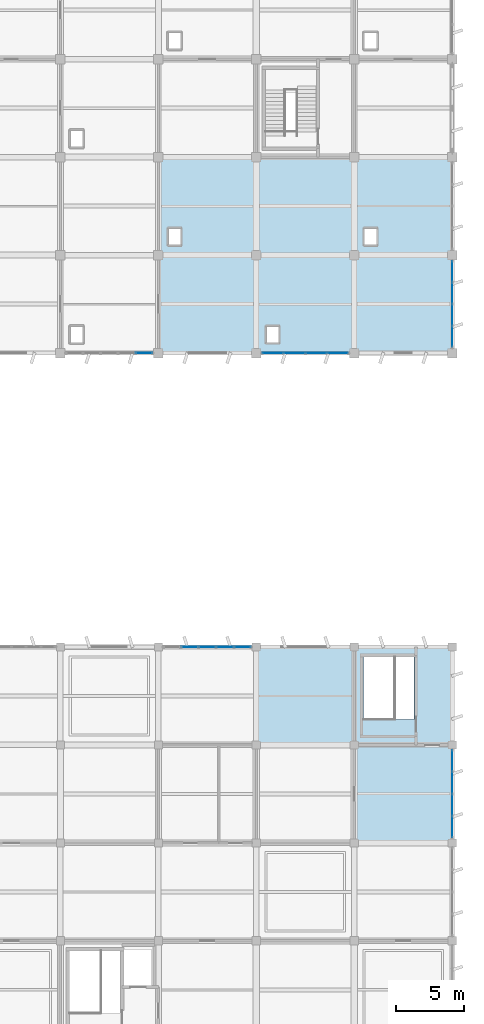
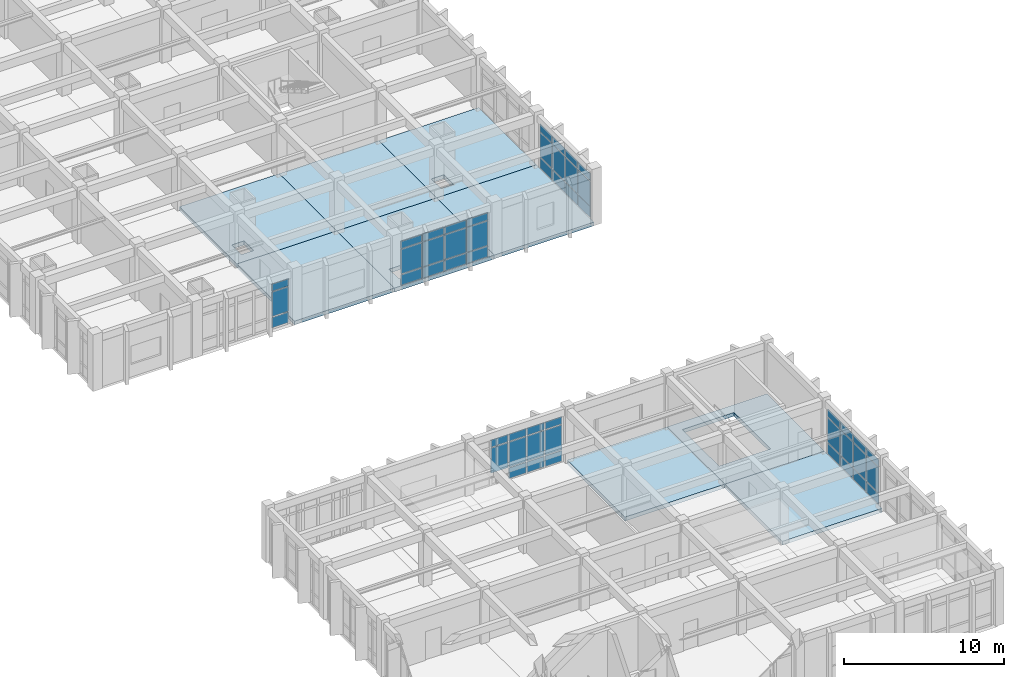
# One storey, part 43 of 70: 50 plates, 9 slabs, 5 elements without a shape of their own.
"""IFC4 building model written with IfcOpenShell, lengths in metres."""

from ifc_helpers import new_model, si_unit, direction, frame, origin, origin_2d, place, context, subcontext, project, spatial, polyline, rectangle, outline, extrude, material, layer, layer_set, type_object, element, aggregate, save


model = new_model("IFC4")

# Units and contexts
model_context = context("Model", 3, precision=1e-05, world=origin(), true_north=direction((0.0, 1.0)))
body_context = subcontext(model_context, "Body", "Model", "MODEL_VIEW")
ifc_project = project(units=[si_unit("LENGTHUNIT", "METRE"), si_unit("AREAUNIT", "SQUARE_METRE"), si_unit("VOLUMEUNIT", "CUBIC_METRE"), si_unit("PLANEANGLEUNIT", "RADIAN"), si_unit("MASSUNIT", "GRAM", prefix="KILO")], contexts=[model_context])

# Site, building, storey
site_placement = place(None, origin())
site = spatial("IfcSite", under=ifc_project, at=site_placement, CompositionType="ELEMENT")
building_placement = place(site_placement, origin())
building = spatial("IfcBuilding", under=site, at=building_placement, Name="Kavelor Marine Aquarium", CompositionType="ELEMENT")
storey_placement = place(building_placement, frame((0.0, 0.0, 9.179931640625)))
storey = spatial("IfcBuildingStorey", under=building, at=storey_placement, Name="L02", CompositionType="ELEMENT", Elevation=9.179931640625)

# Curtain wall, plates
ifc_material_1 = material(Name="Thermally Broken Aluminium and Low-E Glass", Category="aluminium")
ifc_layer_1 = layer(ifc_material_1, 0.251953125)
ifc_layer_set_1 = layer_set([ifc_layer_1], Name="CW-SYS14")
curtain_wall_type_1 = type_object("IfcCurtainWallType", Name="CW-SYS14", PredefinedType="USERDEFINED", material=ifc_layer_set_1)
curtain_wall_1_placement = place(storey_placement, origin())
curtain_wall_1 = element("IfcCurtainWall", 1, at=curtain_wall_1_placement, inside=storey, type_object=curtain_wall_type_1, Name="cw:y:L02:21_02", ObjectType="Curtain Wall", PredefinedType="USERDEFINED")
ifc_material_2 = material(Name="Solar-Control Double Low-E Glazing", Category="glass")
ifc_layer_2 = layer(ifc_material_2, 0.028076171875)
ifc_layer_set_2 = layer_set([ifc_layer_2], Name="CWP-02")
plate_type_1 = type_object("IfcPlateType", Name="CWP-02", PredefinedType="CURTAIN_PANEL", material=ifc_layer_set_2)
plate_1_placement = place(storey_placement, frame((154.39990234375, 18.375, 0.06494140625), z_axis=(0.0, 0.0, 1.0), x_axis=(0.0, 1.0, 0.0)))
plate_1 = element("IfcPlate", 2, at=plate_1_placement, type_object=plate_type_1, Name="CW14 panel 1.1", PredefinedType="CURTAIN_PANEL", context=body_context, shape_type="SweptSolid", body=[
    extrude(rectangle(XDim=1.530029296875, YDim=0.028076171875, at=origin_2d()), origin(), (0.0, 0.0, 1.0), 0.802490234375),
])
plate_2_placement = place(storey_placement, frame((154.39990234375, 18.375, 0.9326171875), z_axis=(0.0, 0.0, 1.0), x_axis=(0.0, 1.0, 0.0)))
plate_2 = element("IfcPlate", 3, at=plate_2_placement, type_object=plate_type_1, Name="CW14 panel 1.2", PredefinedType="CURTAIN_PANEL", context=body_context, shape_type="SweptSolid", body=[
    extrude(rectangle(XDim=1.530029296875, YDim=0.028076171875, at=origin_2d()), origin(), (0.0, 0.0, 1.0), 1.905029296875),
])
plate_3_placement = place(storey_placement, frame((154.39990234375, 18.375, 2.90234375), z_axis=(0.0, 0.0, 1.0), x_axis=(0.0, 1.0, 0.0)))
plate_3 = element("IfcPlate", 4, at=plate_3_placement, type_object=plate_type_1, Name="CW14 panel 1.3", PredefinedType="CURTAIN_PANEL", context=body_context, shape_type="SweptSolid", body=[
    extrude(rectangle(XDim=1.530029296875, YDim=0.028076171875, at=origin_2d()), origin(), (0.0, 0.0, 1.0), 0.552490234375),
])
plate_4_placement = place(storey_placement, frame((154.39990234375, 19.986328125, 0.06494140625), z_axis=(0.0, 0.0, 1.0), x_axis=(0.0, 1.0, 0.0)))
plate_4 = element("IfcPlate", 5, at=plate_4_placement, type_object=plate_type_1, Name="CW14 panel 2.1", PredefinedType="CURTAIN_PANEL", context=body_context, shape_type="SweptSolid", body=[
    extrude(rectangle(XDim=1.5625, YDim=0.028076171875, at=origin_2d()), origin(), (0.0, 0.0, 1.0), 0.802490234375),
])
plate_5_placement = place(storey_placement, frame((154.39990234375, 19.986328125, 0.9326171875), z_axis=(0.0, 0.0, 1.0), x_axis=(0.0, 1.0, 0.0)))
plate_5 = element("IfcPlate", 6, at=plate_5_placement, type_object=plate_type_1, Name="CW14 panel 2.2", PredefinedType="CURTAIN_PANEL", context=body_context, shape_type="SweptSolid", body=[
    extrude(rectangle(XDim=1.5625, YDim=0.028076171875, at=origin_2d()), origin(), (0.0, 0.0, 1.0), 1.905029296875),
])
plate_6_placement = place(storey_placement, frame((154.39990234375, 19.986328125, 2.90234375), z_axis=(0.0, 0.0, 1.0), x_axis=(0.0, 1.0, 0.0)))
plate_6 = element("IfcPlate", 7, at=plate_6_placement, type_object=plate_type_1, Name="CW14 panel 2.3", PredefinedType="CURTAIN_PANEL", context=body_context, shape_type="SweptSolid", body=[
    extrude(rectangle(XDim=1.5625, YDim=0.028076171875, at=origin_2d()), origin(), (0.0, 0.0, 1.0), 0.552490234375),
])
plate_7_placement = place(storey_placement, frame((154.39990234375, 21.61376953125, 0.06494140625), z_axis=(0.0, 0.0, 1.0), x_axis=(0.0, 1.0, 0.0)))
plate_7 = element("IfcPlate", 8, at=plate_7_placement, type_object=plate_type_1, Name="CW14 panel 3.1", PredefinedType="CURTAIN_PANEL", context=body_context, shape_type="SweptSolid", body=[
    extrude(rectangle(XDim=1.5625, YDim=0.028076171875, at=origin_2d()), origin(), (0.0, 0.0, 1.0), 0.802490234375),
])
plate_8_placement = place(storey_placement, frame((154.39990234375, 21.61376953125, 0.9326171875), z_axis=(0.0, 0.0, 1.0), x_axis=(0.0, 1.0, 0.0)))
plate_8 = element("IfcPlate", 9, at=plate_8_placement, type_object=plate_type_1, Name="CW14 panel 3.2", PredefinedType="CURTAIN_PANEL", context=body_context, shape_type="SweptSolid", body=[
    extrude(rectangle(XDim=1.5625, YDim=0.028076171875, at=origin_2d()), origin(), (0.0, 0.0, 1.0), 1.905029296875),
])
plate_9_placement = place(storey_placement, frame((154.39990234375, 21.61376953125, 2.90234375), z_axis=(0.0, 0.0, 1.0), x_axis=(0.0, 1.0, 0.0)))
plate_9 = element("IfcPlate", 10, at=plate_9_placement, type_object=plate_type_1, Name="CW14 panel 3.3", PredefinedType="CURTAIN_PANEL", context=body_context, shape_type="SweptSolid", body=[
    extrude(rectangle(XDim=1.5625, YDim=0.028076171875, at=origin_2d()), origin(), (0.0, 0.0, 1.0), 0.552490234375),
])
plate_10_placement = place(storey_placement, frame((154.39990234375, 23.22509765625, 0.06494140625), z_axis=(0.0, 0.0, 1.0), x_axis=(0.0, 1.0, 0.0)))
plate_10 = element("IfcPlate", 11, at=plate_10_placement, type_object=plate_type_1, Name="CW14 panel 4.1", PredefinedType="CURTAIN_PANEL", context=body_context, shape_type="SweptSolid", body=[
    extrude(rectangle(XDim=1.530029296875, YDim=0.028076171875, at=origin_2d()), origin(), (0.0, 0.0, 1.0), 0.802490234375),
])
plate_11_placement = place(storey_placement, frame((154.39990234375, 23.22509765625, 0.9326171875), z_axis=(0.0, 0.0, 1.0), x_axis=(0.0, 1.0, 0.0)))
plate_11 = element("IfcPlate", 12, at=plate_11_placement, type_object=plate_type_1, Name="CW14 panel 4.2", PredefinedType="CURTAIN_PANEL", context=body_context, shape_type="SweptSolid", body=[
    extrude(rectangle(XDim=1.530029296875, YDim=0.028076171875, at=origin_2d()), origin(), (0.0, 0.0, 1.0), 1.905029296875),
])
plate_12_placement = place(storey_placement, frame((154.39990234375, 23.22509765625, 2.90234375), z_axis=(0.0, 0.0, 1.0), x_axis=(0.0, 1.0, 0.0)))
plate_12 = element("IfcPlate", 13, at=plate_12_placement, type_object=plate_type_1, Name="CW14 panel 4.3", PredefinedType="CURTAIN_PANEL", context=body_context, shape_type="SweptSolid", body=[
    extrude(rectangle(XDim=1.530029296875, YDim=0.028076171875, at=origin_2d()), origin(), (0.0, 0.0, 1.0), 0.552490234375),
])
aggregate(curtain_wall_1, [plate_1, plate_2, plate_3, plate_4, plate_5, plate_6, plate_7, plate_8, plate_9, plate_10, plate_11, plate_12])

ifc_material_3 = material(Name="Thermally Broken Aluminium and Low-E Glass", Category="aluminium")
ifc_layer_3 = layer(ifc_material_3, 0.260009765625)
ifc_layer_set_3 = layer_set([ifc_layer_3], Name="CW-SYS15")
curtain_wall_type_2 = type_object("IfcCurtainWallType", Name="CW-SYS15", PredefinedType="USERDEFINED", material=ifc_layer_set_3)
curtain_wall_2_placement = place(storey_placement, origin())
curtain_wall_2 = element("IfcCurtainWall", 14, at=curtain_wall_2_placement, inside=storey, type_object=curtain_wall_type_2, Name="cw:y:L02:21_07", ObjectType="Curtain Wall", PredefinedType="USERDEFINED")
ifc_material_4 = material(Name="Solar-Control Double Low-E Glazing", Category="glass")
ifc_layer_4 = layer(ifc_material_4, 0.030029296875)
ifc_layer_set_4 = layer_set([ifc_layer_4], Name="CWP-03")
plate_type_2 = type_object("IfcPlateType", Name="CWP-03", PredefinedType="CURTAIN_PANEL", material=ifc_layer_set_4)
plate_13_placement = place(storey_placement, frame((154.39990234375, 54.4111328125, 0.06494140625), z_axis=(0.0, 0.0, 1.0), x_axis=(0.0, 1.0, 0.0)))
plate_13 = element("IfcPlate", 15, at=plate_13_placement, type_object=plate_type_2, Name="CW15 panel 1.1", PredefinedType="CURTAIN_PANEL", context=body_context, shape_type="SweptSolid", body=[
    extrude(rectangle(XDim=1.512451171875, YDim=0.030029296875, at=origin_2d()), origin(), (0.0, 0.0, 1.0), 0.802490234375),
])
plate_14_placement = place(storey_placement, frame((154.39990234375, 54.4111328125, 0.9326171875), z_axis=(0.0, 0.0, 1.0), x_axis=(0.0, 1.0, 0.0)))
plate_14 = element("IfcPlate", 16, at=plate_14_placement, type_object=plate_type_2, Name="CW15 panel 1.2", PredefinedType="CURTAIN_PANEL", context=body_context, shape_type="SweptSolid", body=[
    extrude(rectangle(XDim=1.512451171875, YDim=0.030029296875, at=origin_2d()), origin(), (0.0, 0.0, 1.0), 1.864990234375),
])
plate_15_placement = place(storey_placement, frame((154.39990234375, 54.4111328125, 2.86279296875), z_axis=(0.0, 0.0, 1.0), x_axis=(0.0, 1.0, 0.0)))
plate_15 = element("IfcPlate", 17, at=plate_15_placement, type_object=plate_type_2, Name="CW15 panel 1.3", PredefinedType="CURTAIN_PANEL", context=body_context, shape_type="SweptSolid", body=[
    extrude(rectangle(XDim=1.512451171875, YDim=0.030029296875, at=origin_2d()), origin(), (0.0, 0.0, 1.0), 0.552490234375),
])
plate_16_placement = place(storey_placement, frame((154.39990234375, 55.998779296875, 0.06494140625), z_axis=(0.0, 0.0, 1.0), x_axis=(0.0, 1.0, 0.0)))
plate_16 = element("IfcPlate", 18, at=plate_16_placement, type_object=plate_type_2, Name="CW15 panel 2.1", PredefinedType="CURTAIN_PANEL", context=body_context, shape_type="SweptSolid", body=[
    extrude(rectangle(XDim=1.54248046875, YDim=0.030029296875, at=origin_2d()), origin(), (0.0, 0.0, 1.0), 0.802490234375),
])
plate_17_placement = place(storey_placement, frame((154.39990234375, 55.998779296875, 0.9326171875), z_axis=(0.0, 0.0, 1.0), x_axis=(0.0, 1.0, 0.0)))
plate_17 = element("IfcPlate", 19, at=plate_17_placement, type_object=plate_type_2, Name="CW15 panel 2.2", PredefinedType="CURTAIN_PANEL", context=body_context, shape_type="SweptSolid", body=[
    extrude(rectangle(XDim=1.54248046875, YDim=0.030029296875, at=origin_2d()), origin(), (0.0, 0.0, 1.0), 1.864990234375),
])
plate_18_placement = place(storey_placement, frame((154.39990234375, 55.998779296875, 2.86279296875), z_axis=(0.0, 0.0, 1.0), x_axis=(0.0, 1.0, 0.0)))
plate_18 = element("IfcPlate", 20, at=plate_18_placement, type_object=plate_type_2, Name="CW15 panel 2.3", PredefinedType="CURTAIN_PANEL", context=body_context, shape_type="SweptSolid", body=[
    extrude(rectangle(XDim=1.54248046875, YDim=0.030029296875, at=origin_2d()), origin(), (0.0, 0.0, 1.0), 0.552490234375),
])
plate_19_placement = place(storey_placement, frame((154.39990234375, 57.601318359375, 0.06494140625), z_axis=(0.0, 0.0, 1.0), x_axis=(0.0, 1.0, 0.0)))
plate_19 = element("IfcPlate", 21, at=plate_19_placement, type_object=plate_type_2, Name="CW15 panel 3.1", PredefinedType="CURTAIN_PANEL", context=body_context, shape_type="SweptSolid", body=[
    extrude(rectangle(XDim=1.54248046875, YDim=0.030029296875, at=origin_2d()), origin(), (0.0, 0.0, 1.0), 0.802490234375),
])
plate_20_placement = place(storey_placement, frame((154.39990234375, 57.601318359375, 0.9326171875), z_axis=(0.0, 0.0, 1.0), x_axis=(0.0, 1.0, 0.0)))
plate_20 = element("IfcPlate", 22, at=plate_20_placement, type_object=plate_type_2, Name="CW15 panel 3.2", PredefinedType="CURTAIN_PANEL", context=body_context, shape_type="SweptSolid", body=[
    extrude(rectangle(XDim=1.54248046875, YDim=0.030029296875, at=origin_2d()), origin(), (0.0, 0.0, 1.0), 1.864990234375),
])
plate_21_placement = place(storey_placement, frame((154.39990234375, 57.601318359375, 2.86279296875), z_axis=(0.0, 0.0, 1.0), x_axis=(0.0, 1.0, 0.0)))
plate_21 = element("IfcPlate", 23, at=plate_21_placement, type_object=plate_type_2, Name="CW15 panel 3.3", PredefinedType="CURTAIN_PANEL", context=body_context, shape_type="SweptSolid", body=[
    extrude(rectangle(XDim=1.54248046875, YDim=0.030029296875, at=origin_2d()), origin(), (0.0, 0.0, 1.0), 0.552490234375),
])
plate_22_placement = place(storey_placement, frame((154.39990234375, 59.188720703125, 0.06494140625), z_axis=(0.0, 0.0, 1.0), x_axis=(0.0, 1.0, 0.0)))
plate_22 = element("IfcPlate", 24, at=plate_22_placement, type_object=plate_type_2, Name="CW15 panel 4.1", PredefinedType="CURTAIN_PANEL", context=body_context, shape_type="SweptSolid", body=[
    extrude(rectangle(XDim=1.512451171875, YDim=0.030029296875, at=origin_2d()), origin(), (0.0, 0.0, 1.0), 0.802490234375),
])
plate_23_placement = place(storey_placement, frame((154.39990234375, 59.188720703125, 0.9326171875), z_axis=(0.0, 0.0, 1.0), x_axis=(0.0, 1.0, 0.0)))
plate_23 = element("IfcPlate", 25, at=plate_23_placement, type_object=plate_type_2, Name="CW15 panel 4.2", PredefinedType="CURTAIN_PANEL", context=body_context, shape_type="SweptSolid", body=[
    extrude(rectangle(XDim=1.512451171875, YDim=0.030029296875, at=origin_2d()), origin(), (0.0, 0.0, 1.0), 1.864990234375),
])
plate_24_placement = place(storey_placement, frame((154.39990234375, 59.188720703125, 2.86279296875), z_axis=(0.0, 0.0, 1.0), x_axis=(0.0, 1.0, 0.0)))
plate_24 = element("IfcPlate", 26, at=plate_24_placement, type_object=plate_type_2, Name="CW15 panel 4.3", PredefinedType="CURTAIN_PANEL", context=body_context, shape_type="SweptSolid", body=[
    extrude(rectangle(XDim=1.512451171875, YDim=0.030029296875, at=origin_2d()), origin(), (0.0, 0.0, 1.0), 0.552490234375),
])
aggregate(curtain_wall_2, [plate_13, plate_14, plate_15, plate_16, plate_17, plate_18, plate_19, plate_20, plate_21, plate_22, plate_23, plate_24])

ifc_material_5 = material(Name="Thermally Broken Aluminium and Low-E Glass", Category="aluminium")
ifc_layer_5 = layer(ifc_material_5, 0.18798828125)
ifc_layer_set_5 = layer_set([ifc_layer_5], Name="CW-SYS6")
curtain_wall_type_3 = type_object("IfcCurtainWallType", Name="CW-SYS6", PredefinedType="USERDEFINED", material=ifc_layer_set_5)
curtain_wall_3_placement = place(storey_placement, origin())
curtain_wall_3 = element("IfcCurtainWall", 27, at=curtain_wall_3_placement, inside=storey, type_object=curtain_wall_type_3, Name="cw:x:L02:17_07", ObjectType="Curtain Wall", PredefinedType="USERDEFINED")
ifc_material_6 = material(Name="Solar-Control Double Low-E Glazing", Category="glass")
ifc_layer_6 = layer(ifc_material_6, 0.035888671875)
ifc_layer_set_6 = layer_set([ifc_layer_6], Name="CWP-06")
plate_type_3 = type_object("IfcPlateType", Name="CWP-06", PredefinedType="CURTAIN_PANEL", material=ifc_layer_set_6)
plate_25_placement = place(storey_placement, frame((131.7490234375, 53.199951171875, 0.074951171875), z_axis=(0.0, 0.0, 1.0), x_axis=(-1.0, 0.0, 0.0)))
plate_25 = element("IfcPlate", 28, at=plate_25_placement, type_object=plate_type_3, Name="CW06 panel 1.1", PredefinedType="CURTAIN_PANEL", context=body_context, shape_type="SweptSolid", body=[
    extrude(rectangle(XDim=1.19189453125, YDim=0.035888671875, at=origin_2d()), origin(), (0.0, 0.0, 1.0), 0.78759765625),
])
plate_26_placement = place(storey_placement, frame((131.7490234375, 53.199951171875, 0.9375), z_axis=(0.0, 0.0, 1.0), x_axis=(-1.0, 0.0, 0.0)))
plate_26 = element("IfcPlate", 29, at=plate_26_placement, type_object=plate_type_3, Name="CW06 panel 1.2", PredefinedType="CURTAIN_PANEL", context=body_context, shape_type="SweptSolid", body=[
    extrude(rectangle(XDim=1.19189453125, YDim=0.035888671875, at=origin_2d()), origin(), (0.0, 0.0, 1.0), 1.85498046875),
])
plate_27_placement = place(storey_placement, frame((131.7490234375, 53.199951171875, 2.867431640625), z_axis=(0.0, 0.0, 1.0), x_axis=(-1.0, 0.0, 0.0)))
plate_27 = element("IfcPlate", 30, at=plate_27_placement, type_object=plate_type_3, Name="CW06 panel 1.3", PredefinedType="CURTAIN_PANEL", context=body_context, shape_type="SweptSolid", body=[
    extrude(rectangle(XDim=1.19189453125, YDim=0.035888671875, at=origin_2d()), origin(), (0.0, 0.0, 1.0), 0.53759765625),
])
aggregate(curtain_wall_3, [plate_25, plate_26, plate_27])

ifc_material_7 = material(Name="Thermally Broken Aluminium and Low-E Glass", Category="aluminium")
ifc_layer_7 = layer(ifc_material_7, 0.2119140625)
ifc_layer_set_7 = layer_set([ifc_layer_7], Name="CW-SYS9")
curtain_wall_type_4 = type_object("IfcCurtainWallType", Name="CW-SYS9", PredefinedType="USERDEFINED", material=ifc_layer_set_7)
curtain_wall_4_placement = place(storey_placement, origin())
curtain_wall_4 = element("IfcCurtainWall", 31, at=curtain_wall_4_placement, inside=storey, type_object=curtain_wall_type_4, Name="cw:x:L02:18_04", ObjectType="Curtain Wall", PredefinedType="USERDEFINED")
ifc_material_8 = material(Name="Solar-Control Double Low-E Glazing", Category="glass")
ifc_layer_8 = layer(ifc_material_8, 0.0419921875)
ifc_layer_set_8 = layer_set([ifc_layer_8], Name="CWP-09")
plate_type_4 = type_object("IfcPlateType", Name="CWP-09", PredefinedType="CURTAIN_PANEL", material=ifc_layer_set_8)
plate_28_placement = place(storey_placement, frame((135.097900390625, 31.60009765625, 0.9326171875), z_axis=(0.0, 0.0, 1.0), x_axis=(1.0, 0.0, 0.0)))
plate_28 = element("IfcPlate", 32, at=plate_28_placement, type_object=plate_type_4, Name="CW09 panel 2.2", PredefinedType="CURTAIN_PANEL", context=body_context, shape_type="SweptSolid", body=[
    extrude(rectangle(XDim=1.241943359375, YDim=0.0419921875, at=origin_2d()), origin(), (0.0, 0.0, 1.0), 1.905029296875),
])
plate_29_placement = place(storey_placement, frame((135.097900390625, 31.60009765625, 2.90234375), z_axis=(0.0, 0.0, 1.0), x_axis=(1.0, 0.0, 0.0)))
plate_29 = element("IfcPlate", 33, at=plate_29_placement, type_object=plate_type_4, Name="CW09 panel 2.3", PredefinedType="CURTAIN_PANEL", context=body_context, shape_type="SweptSolid", body=[
    extrude(rectangle(XDim=1.241943359375, YDim=0.0419921875, at=origin_2d()), origin(), (0.0, 0.0, 1.0), 0.552490234375),
])
plate_30_placement = place(storey_placement, frame((136.39990234375, 31.60009765625, 0.06494140625), z_axis=(0.0, 0.0, 1.0), x_axis=(1.0, 0.0, 0.0)))
plate_30 = element("IfcPlate", 34, at=plate_30_placement, type_object=plate_type_4, Name="CW09 panel 3.1", PredefinedType="CURTAIN_PANEL", context=body_context, shape_type="SweptSolid", body=[
    extrude(rectangle(XDim=1.241943359375, YDim=0.0419921875, at=origin_2d()), origin(), (0.0, 0.0, 1.0), 0.802490234375),
])
plate_31_placement = place(storey_placement, frame((136.39990234375, 31.60009765625, 0.9326171875), z_axis=(0.0, 0.0, 1.0), x_axis=(1.0, 0.0, 0.0)))
plate_31 = element("IfcPlate", 35, at=plate_31_placement, type_object=plate_type_4, Name="CW09 panel 3.2", PredefinedType="CURTAIN_PANEL", context=body_context, shape_type="SweptSolid", body=[
    extrude(rectangle(XDim=1.241943359375, YDim=0.0419921875, at=origin_2d()), origin(), (0.0, 0.0, 1.0), 1.905029296875),
])
plate_32_placement = place(storey_placement, frame((136.39990234375, 31.60009765625, 2.90234375), z_axis=(0.0, 0.0, 1.0), x_axis=(1.0, 0.0, 0.0)))
plate_32 = element("IfcPlate", 36, at=plate_32_placement, type_object=plate_type_4, Name="CW09 panel 3.3", PredefinedType="CURTAIN_PANEL", context=body_context, shape_type="SweptSolid", body=[
    extrude(rectangle(XDim=1.241943359375, YDim=0.0419921875, at=origin_2d()), origin(), (0.0, 0.0, 1.0), 0.552490234375),
])
plate_33_placement = place(storey_placement, frame((137.701904296875, 31.60009765625, 0.06494140625), z_axis=(0.0, 0.0, 1.0), x_axis=(1.0, 0.0, 0.0)))
plate_33 = element("IfcPlate", 37, at=plate_33_placement, type_object=plate_type_4, Name="CW09 panel 4.1", PredefinedType="CURTAIN_PANEL", context=body_context, shape_type="SweptSolid", body=[
    extrude(rectangle(XDim=1.241943359375, YDim=0.0419921875, at=origin_2d()), origin(), (0.0, 0.0, 1.0), 0.802490234375),
])
plate_34_placement = place(storey_placement, frame((137.701904296875, 31.60009765625, 0.9326171875), z_axis=(0.0, 0.0, 1.0), x_axis=(1.0, 0.0, 0.0)))
plate_34 = element("IfcPlate", 38, at=plate_34_placement, type_object=plate_type_4, Name="CW09 panel 4.2", PredefinedType="CURTAIN_PANEL", context=body_context, shape_type="SweptSolid", body=[
    extrude(rectangle(XDim=1.241943359375, YDim=0.0419921875, at=origin_2d()), origin(), (0.0, 0.0, 1.0), 1.905029296875),
])
plate_35_placement = place(storey_placement, frame((137.701904296875, 31.60009765625, 2.90234375), z_axis=(0.0, 0.0, 1.0), x_axis=(1.0, 0.0, 0.0)))
plate_35 = element("IfcPlate", 39, at=plate_35_placement, type_object=plate_type_4, Name="CW09 panel 4.3", PredefinedType="CURTAIN_PANEL", context=body_context, shape_type="SweptSolid", body=[
    extrude(rectangle(XDim=1.241943359375, YDim=0.0419921875, at=origin_2d()), origin(), (0.0, 0.0, 1.0), 0.552490234375),
])
plate_36_placement = place(storey_placement, frame((138.989013671875, 31.60009765625, 0.06494140625), z_axis=(0.0, 0.0, 1.0), x_axis=(1.0, 0.0, 0.0)))
plate_36 = element("IfcPlate", 40, at=plate_36_placement, type_object=plate_type_4, Name="CW09 panel 5.1", PredefinedType="CURTAIN_PANEL", context=body_context, shape_type="SweptSolid", body=[
    extrude(rectangle(XDim=1.2119140625, YDim=0.0419921875, at=origin_2d()), origin(), (0.0, 0.0, 1.0), 0.802490234375),
])
plate_37_placement = place(storey_placement, frame((138.989013671875, 31.60009765625, 0.9326171875), z_axis=(0.0, 0.0, 1.0), x_axis=(1.0, 0.0, 0.0)))
plate_37 = element("IfcPlate", 41, at=plate_37_placement, type_object=plate_type_4, Name="CW09 panel 5.2", PredefinedType="CURTAIN_PANEL", context=body_context, shape_type="SweptSolid", body=[
    extrude(rectangle(XDim=1.2119140625, YDim=0.0419921875, at=origin_2d()), origin(), (0.0, 0.0, 1.0), 1.905029296875),
])
plate_38_placement = place(storey_placement, frame((138.989013671875, 31.60009765625, 2.90234375), z_axis=(0.0, 0.0, 1.0), x_axis=(1.0, 0.0, 0.0)))
plate_38 = element("IfcPlate", 42, at=plate_38_placement, type_object=plate_type_4, Name="CW09 panel 5.3", PredefinedType="CURTAIN_PANEL", context=body_context, shape_type="SweptSolid", body=[
    extrude(rectangle(XDim=1.2119140625, YDim=0.0419921875, at=origin_2d()), origin(), (0.0, 0.0, 1.0), 0.552490234375),
])
aggregate(curtain_wall_4, [plate_28, plate_29, plate_30, plate_31, plate_32, plate_33, plate_34, plate_35, plate_36, plate_37, plate_38])

ifc_material_9 = material(Name="Thermally Broken Aluminium and Low-E Glass", Category="aluminium")
ifc_layer_9 = layer(ifc_material_9, 0.219970703125)
ifc_layer_set_9 = layer_set([ifc_layer_9], Name="CW-SYS10")
curtain_wall_type_5 = type_object("IfcCurtainWallType", Name="CW-SYS10", PredefinedType="USERDEFINED", material=ifc_layer_set_9)
curtain_wall_5_placement = place(storey_placement, origin())
curtain_wall_5 = element("IfcCurtainWall", 43, at=curtain_wall_5_placement, inside=storey, type_object=curtain_wall_type_5, Name="cw:x:L02:19_07", ObjectType="Curtain Wall", PredefinedType="USERDEFINED")
ifc_material_10 = material(Name="Solar-Control Double Low-E Glazing", Category="glass")
ifc_layer_10 = layer(ifc_material_10, 0.0439453125)
ifc_layer_set_10 = layer_set([ifc_layer_10], Name="CWP-10")
plate_type_5 = type_object("IfcPlateType", Name="CWP-10", PredefinedType="CURTAIN_PANEL", material=ifc_layer_set_10)
plate_39_placement = place(storey_placement, frame((145.985107421875, 53.199951171875, 0.06005859375), z_axis=(0.0, 0.0, 1.0), x_axis=(-1.0, 0.0, 0.0)))
plate_39 = element("IfcPlate", 44, at=plate_39_placement, type_object=plate_type_5, Name="CW10 panel 1.1", PredefinedType="CURTAIN_PANEL", context=body_context, shape_type="SweptSolid", body=[
    extrude(rectangle(XDim=1.489990234375, YDim=0.0439453125, at=origin_2d()), origin(), (0.0, 0.0, 1.0), 0.81005859375),
])
plate_40_placement = place(storey_placement, frame((145.985107421875, 53.199951171875, 0.929931640625), z_axis=(0.0, 0.0, 1.0), x_axis=(-1.0, 0.0, 0.0)))
plate_40 = element("IfcPlate", 45, at=plate_40_placement, type_object=plate_type_5, Name="CW10 panel 1.2", PredefinedType="CURTAIN_PANEL", context=body_context, shape_type="SweptSolid", body=[
    extrude(rectangle(XDim=1.489990234375, YDim=0.0439453125, at=origin_2d()), origin(), (0.0, 0.0, 1.0), 1.8701171875),
])
plate_41_placement = place(storey_placement, frame((145.985107421875, 53.199951171875, 2.860107421875), z_axis=(0.0, 0.0, 1.0), x_axis=(-1.0, 0.0, 0.0)))
plate_41 = element("IfcPlate", 46, at=plate_41_placement, type_object=plate_type_5, Name="CW10 panel 1.3", PredefinedType="CURTAIN_PANEL", context=body_context, shape_type="SweptSolid", body=[
    extrude(rectangle(XDim=1.489990234375, YDim=0.0439453125, at=origin_2d()), origin(), (0.0, 0.0, 1.0), 0.56005859375),
])
plate_42_placement = place(storey_placement, frame((144.4013671875, 53.199951171875, 0.06005859375), z_axis=(0.0, 0.0, 1.0), x_axis=(-1.0, 0.0, 0.0)))
plate_42 = element("IfcPlate", 47, at=plate_42_placement, type_object=plate_type_5, Name="CW10 panel 2.1", PredefinedType="CURTAIN_PANEL", context=body_context, shape_type="SweptSolid", body=[
    extrude(rectangle(XDim=1.527587890625, YDim=0.0439453125, at=origin_2d()), origin(), (0.0, 0.0, 1.0), 0.81005859375),
])
plate_43_placement = place(storey_placement, frame((144.4013671875, 53.199951171875, 0.929931640625), z_axis=(0.0, 0.0, 1.0), x_axis=(-1.0, 0.0, 0.0)))
plate_43 = element("IfcPlate", 48, at=plate_43_placement, type_object=plate_type_5, Name="CW10 panel 2.2", PredefinedType="CURTAIN_PANEL", context=body_context, shape_type="SweptSolid", body=[
    extrude(rectangle(XDim=1.527587890625, YDim=0.0439453125, at=origin_2d()), origin(), (0.0, 0.0, 1.0), 1.8701171875),
])
plate_44_placement = place(storey_placement, frame((144.4013671875, 53.199951171875, 2.860107421875), z_axis=(0.0, 0.0, 1.0), x_axis=(-1.0, 0.0, 0.0)))
plate_44 = element("IfcPlate", 49, at=plate_44_placement, type_object=plate_type_5, Name="CW10 panel 2.3", PredefinedType="CURTAIN_PANEL", context=body_context, shape_type="SweptSolid", body=[
    extrude(rectangle(XDim=1.527587890625, YDim=0.0439453125, at=origin_2d()), origin(), (0.0, 0.0, 1.0), 0.56005859375),
])
plate_45_placement = place(storey_placement, frame((142.798828125, 53.199951171875, 0.06005859375), z_axis=(0.0, 0.0, 1.0), x_axis=(-1.0, 0.0, 0.0)))
plate_45 = element("IfcPlate", 50, at=plate_45_placement, type_object=plate_type_5, Name="CW10 panel 3.1", PredefinedType="CURTAIN_PANEL", context=body_context, shape_type="SweptSolid", body=[
    extrude(rectangle(XDim=1.527587890625, YDim=0.0439453125, at=origin_2d()), origin(), (0.0, 0.0, 1.0), 0.81005859375),
])
plate_46_placement = place(storey_placement, frame((142.798828125, 53.199951171875, 0.929931640625), z_axis=(0.0, 0.0, 1.0), x_axis=(-1.0, 0.0, 0.0)))
plate_46 = element("IfcPlate", 51, at=plate_46_placement, type_object=plate_type_5, Name="CW10 panel 3.2", PredefinedType="CURTAIN_PANEL", context=body_context, shape_type="SweptSolid", body=[
    extrude(rectangle(XDim=1.527587890625, YDim=0.0439453125, at=origin_2d()), origin(), (0.0, 0.0, 1.0), 1.8701171875),
])
plate_47_placement = place(storey_placement, frame((142.798828125, 53.199951171875, 2.860107421875), z_axis=(0.0, 0.0, 1.0), x_axis=(-1.0, 0.0, 0.0)))
plate_47 = element("IfcPlate", 52, at=plate_47_placement, type_object=plate_type_5, Name="CW10 panel 3.3", PredefinedType="CURTAIN_PANEL", context=body_context, shape_type="SweptSolid", body=[
    extrude(rectangle(XDim=1.527587890625, YDim=0.0439453125, at=origin_2d()), origin(), (0.0, 0.0, 1.0), 0.56005859375),
])
plate_48_placement = place(storey_placement, frame((141.215087890625, 53.199951171875, 0.06005859375), z_axis=(0.0, 0.0, 1.0), x_axis=(-1.0, 0.0, 0.0)))
plate_48 = element("IfcPlate", 53, at=plate_48_placement, type_object=plate_type_5, Name="CW10 panel 4.1", PredefinedType="CURTAIN_PANEL", context=body_context, shape_type="SweptSolid", body=[
    extrude(rectangle(XDim=1.489990234375, YDim=0.0439453125, at=origin_2d()), origin(), (0.0, 0.0, 1.0), 0.81005859375),
])
plate_49_placement = place(storey_placement, frame((141.215087890625, 53.199951171875, 0.929931640625), z_axis=(0.0, 0.0, 1.0), x_axis=(-1.0, 0.0, 0.0)))
plate_49 = element("IfcPlate", 54, at=plate_49_placement, type_object=plate_type_5, Name="CW10 panel 4.2", PredefinedType="CURTAIN_PANEL", context=body_context, shape_type="SweptSolid", body=[
    extrude(rectangle(XDim=1.489990234375, YDim=0.0439453125, at=origin_2d()), origin(), (0.0, 0.0, 1.0), 1.8701171875),
])
plate_50_placement = place(storey_placement, frame((141.215087890625, 53.199951171875, 2.860107421875), z_axis=(0.0, 0.0, 1.0), x_axis=(-1.0, 0.0, 0.0)))
plate_50 = element("IfcPlate", 55, at=plate_50_placement, type_object=plate_type_5, Name="CW10 panel 4.3", PredefinedType="CURTAIN_PANEL", context=body_context, shape_type="SweptSolid", body=[
    extrude(rectangle(XDim=1.489990234375, YDim=0.0439453125, at=origin_2d()), origin(), (0.0, 0.0, 1.0), 0.56005859375),
])
aggregate(curtain_wall_5, [plate_39, plate_40, plate_41, plate_42, plate_43, plate_44, plate_45, plate_46, plate_47, plate_48, plate_49, plate_50])

# Slabs
ifc_material_11 = material(Name="Concrete C40/50", Category="concrete")
ifc_layer_11 = layer(ifc_material_11, 0.300048828125)
ifc_layer_set_11 = layer_set([ifc_layer_11], Name="SL-FL1")
slab_type_1 = type_object("IfcSlabType", Name="SL-FL1", PredefinedType="FLOOR", material=ifc_layer_set_11)
slab_1_placement = place(storey_placement, frame((0.0, 0.0, -0.300048828125)))
element("IfcSlab", 56, at=slab_1_placement, inside=storey, type_object=slab_type_1, Name="slab:L02:18_08", PredefinedType="FLOOR", context=body_context, shape_type="SweptSolid", body=[
    extrude(outline(polyline([(132.800048828125, 60.39990234375), (140.0, 60.39990234375), (140.0, 67.60009765625), (132.800048828125, 67.60009765625), (132.800048828125, 60.39990234375)]), holes=[polyline([(133.550048828125, 61.14990234375), (134.449951171875, 61.14990234375), (134.449951171875, 62.35009765625), (133.550048828125, 62.35009765625), (133.550048828125, 61.14990234375)])]), origin(), (0.0, 0.0, 1.0), 0.300048828125),
])
slab_2_placement = place(storey_placement, frame((0.0, 0.0, -0.300048828125)))
element("IfcSlab", 57, at=slab_2_placement, inside=storey, type_object=slab_type_1, Name="slab:L02:19_03", PredefinedType="FLOOR", context=body_context, shape_type="SweptSolid", body=[
    extrude(outline(polyline([(140.0, 24.39990234375), (147.199951171875, 24.39990234375), (147.199951171875, 31.60009765625), (140.0, 31.60009765625), (140.0, 24.39990234375)])), origin(), (0.0, 0.0, 1.0), 0.300048828125),
])
slab_3_placement = place(storey_placement, frame((0.0, 0.0, -0.300048828125)))
element("IfcSlab", 58, at=slab_3_placement, inside=storey, type_object=slab_type_1, Name="slab:L02:19_07", PredefinedType="FLOOR", context=body_context, shape_type="SweptSolid", body=[
    extrude(outline(polyline([(140.0, 53.199951171875), (147.199951171875, 53.199951171875), (147.199951171875, 60.39990234375), (140.0, 60.39990234375), (140.0, 53.199951171875)]), holes=[polyline([(140.75, 53.949951171875), (141.64990234375, 53.949951171875), (141.64990234375, 55.14990234375), (140.75, 55.14990234375), (140.75, 53.949951171875)])]), origin(), (0.0, 0.0, 1.0), 0.300048828125),
])
slab_4_placement = place(storey_placement, frame((0.0, 0.0, -0.300048828125)))
element("IfcSlab", 59, at=slab_4_placement, inside=storey, type_object=slab_type_1, Name="slab:L02:20_02", PredefinedType="FLOOR", context=body_context, shape_type="SweptSolid", body=[
    extrude(outline(polyline([(147.199951171875, 17.199951171875), (154.39990234375, 17.199951171875), (154.39990234375, 24.39990234375), (147.199951171875, 24.39990234375), (147.199951171875, 17.199951171875)])), origin(), (0.0, 0.0, 1.0), 0.300048828125),
])
slab_5_placement = place(storey_placement, frame((0.0, 0.0, -0.300048828125)))
element("IfcSlab", 60, at=slab_5_placement, inside=storey, type_object=slab_type_1, Name="slab:L02:20_08", PredefinedType="FLOOR", context=body_context, shape_type="SweptSolid", body=[
    extrude(outline(polyline([(147.199951171875, 60.39990234375), (154.39990234375, 60.39990234375), (154.39990234375, 67.60009765625), (147.199951171875, 67.60009765625), (147.199951171875, 60.39990234375)]), holes=[polyline([(147.949951171875, 61.14990234375), (148.85009765625, 61.14990234375), (148.85009765625, 62.35009765625), (147.949951171875, 62.35009765625), (147.949951171875, 61.14990234375)])]), origin(), (0.0, 0.0, 1.0), 0.300048828125),
])
ifc_material_12 = material(Name="Concrete C40/50", Category="concrete")
ifc_layer_12 = layer(ifc_material_12, 0.280029296875)
ifc_layer_set_12 = layer_set([ifc_layer_12], Name="SL-FL2")
slab_type_2 = type_object("IfcSlabType", Name="SL-FL2", PredefinedType="FLOOR", material=ifc_layer_set_12)
slab_6_placement = place(storey_placement, frame((0.0, 0.0, -0.280029296875)))
element("IfcSlab", 61, at=slab_6_placement, inside=storey, type_object=slab_type_2, Name="slab:L02:18_07", PredefinedType="FLOOR", context=body_context, shape_type="SweptSolid", body=[
    extrude(outline(polyline([(132.800048828125, 53.199951171875), (140.0, 53.199951171875), (140.0, 60.39990234375), (132.800048828125, 60.39990234375), (132.800048828125, 53.199951171875)])), origin(), (0.0, 0.0, 1.0), 0.280029296875),
])
slab_7_placement = place(storey_placement, frame((0.0, 0.0, -0.280029296875)))
element("IfcSlab", 62, at=slab_7_placement, inside=storey, type_object=slab_type_2, Name="slab:L02:19_08", PredefinedType="FLOOR", context=body_context, shape_type="SweptSolid", body=[
    extrude(outline(polyline([(140.0, 60.39990234375), (147.199951171875, 60.39990234375), (147.199951171875, 67.60009765625), (140.0, 67.60009765625), (140.0, 60.39990234375)])), origin(), (0.0, 0.0, 1.0), 0.280029296875),
])
slab_8_placement = place(storey_placement, frame((0.0, 0.0, -0.280029296875)))
element("IfcSlab", 63, at=slab_8_placement, inside=storey, type_object=slab_type_2, Name="slab:L02:20_03", PredefinedType="FLOOR", context=body_context, shape_type="SweptSolid", body=[
    extrude(outline(polyline([(147.199951171875, 24.39990234375), (154.39990234375, 24.39990234375), (154.39990234375, 31.60009765625), (147.199951171875, 31.60009765625), (147.199951171875, 24.39990234375)]), holes=[polyline([(147.8798828125, 26.282958984375), (151.60009765625, 26.282958984375), (151.60009765625, 30.8701171875), (147.8798828125, 30.8701171875), (147.8798828125, 26.282958984375)])]), origin(), (0.0, 0.0, 1.0), 0.280029296875),
])
slab_9_placement = place(storey_placement, frame((0.0, 0.0, -0.280029296875)))
element("IfcSlab", 64, at=slab_9_placement, inside=storey, type_object=slab_type_2, Name="slab:L02:20_07", PredefinedType="FLOOR", context=body_context, shape_type="SweptSolid", body=[
    extrude(outline(polyline([(147.199951171875, 53.199951171875), (154.39990234375, 53.199951171875), (154.39990234375, 60.39990234375), (147.199951171875, 60.39990234375), (147.199951171875, 53.199951171875)])), origin(), (0.0, 0.0, 1.0), 0.280029296875),
])

save(model, "model.ifc")
